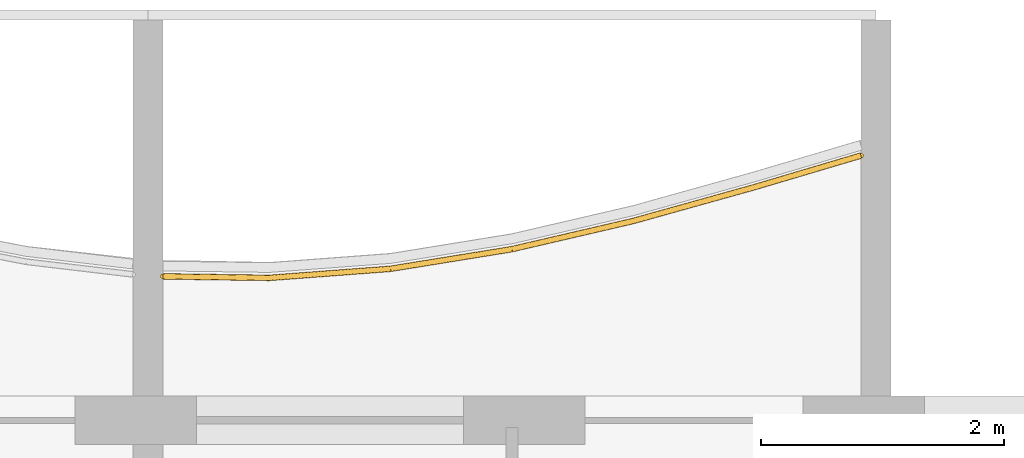
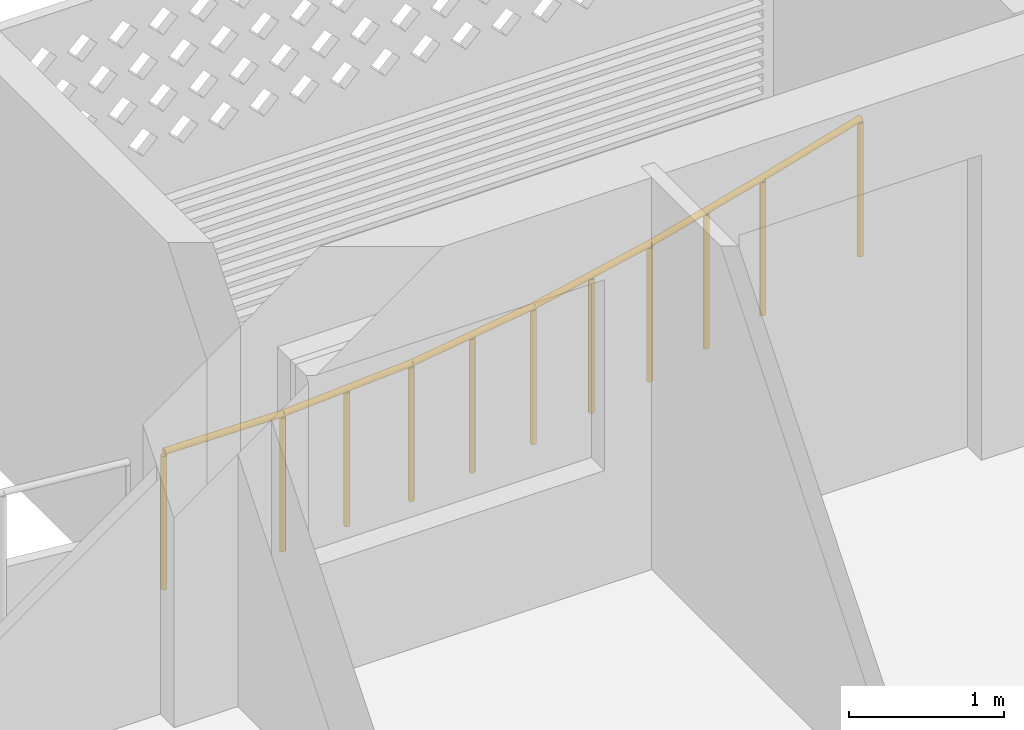
# One storey, part 21 of 26: 1 railing.
"""IFC4 building model written with IfcOpenShell, lengths in metres."""

from ifc_helpers import new_model, si_unit, direction, frame, origin, origin_2d, place, context, subcontext, project, spatial, circle, extrude, material, type_object, element, save


model = new_model("IFC4")

# Units and contexts
model_context = context("Model", 3, precision=1e-05, world=origin(), true_north=direction((0.0, 1.0)))
body_context = subcontext(model_context, "Body", "Model", "MODEL_VIEW")
ifc_project = project(units=[si_unit("LENGTHUNIT", "METRE"), si_unit("AREAUNIT", "SQUARE_METRE"), si_unit("VOLUMEUNIT", "CUBIC_METRE"), si_unit("PLANEANGLEUNIT", "RADIAN"), si_unit("MASSUNIT", "GRAM", prefix="KILO")], contexts=[model_context])

# Site, building, storey
site_placement = place(None, origin())
site = spatial("IfcSite", under=ifc_project, at=site_placement, CompositionType="ELEMENT")
building_placement = place(site_placement, origin())
building = spatial("IfcBuilding", under=site, at=building_placement, Name="Poui Terraces", CompositionType="ELEMENT")
storey_placement = place(building_placement, frame((0.0, 0.0, 178.5)))
storey = spatial("IfcBuildingStorey", under=building, at=storey_placement, Name="L49", CompositionType="ELEMENT", Elevation=178.5)

# Railing
ifc_material = material(Name="Painted steel fretwork", Category="steel")
railing_type = type_object("IfcRailingType", Name="BALCONY GUARD 1100", PredefinedType="GUARDRAIL", material=ifc_material)
railing_placement = place(storey_placement, frame((54.125, 42.38623046875, 0.0)))
element("IfcRailing", 1, at=railing_placement, inside=storey, type_object=railing_type, Name="BALCONY GUARD", PredefinedType="GUARDRAIL", context=body_context, shape_type="SweptSolid", body=[
    extrude(circle(Radius=0.02392578125, at=origin_2d()), frame((0.0, 0.0, 1.076171875), z_axis=(0.999902700497, -0.013949535442, 0.0), x_axis=(0.013949535442, 0.999902700497, 0.0)), (0.0, 0.0, 1.0), 0.875),
    extrude(circle(Radius=0.02392578125, at=origin_2d()), frame((0.875, -0.01220703125, 1.076171875), z_axis=(0.997202940152, 0.074741528962, 0.0), x_axis=(-0.074741528962, 0.997202940152, 0.0)), (0.0, 0.0, 1.0), 1.002685546875),
    extrude(circle(Radius=0.02392578125, at=origin_2d()), frame((1.875, 0.062744140625, 1.076171875), z_axis=(0.987151750337, 0.159785549432, 0.0), x_axis=(-0.159785549432, 0.987151750337, 0.0)), (0.0, 0.0, 1.0), 1.012939453125),
    extrude(circle(Radius=0.02392578125, at=origin_2d()), frame((2.875, 0.224609375, 1.076171875), z_axis=(0.974037301865, 0.226387576019, 0.0), x_axis=(-0.226387576019, 0.974037301865, 0.0)), (0.0, 0.0, 1.0), 1.026611328125),
    extrude(circle(Radius=0.02392578125, at=origin_2d()), frame((3.875, 0.45703125, 1.076171875), z_axis=(0.963200548895, 0.268783746921, 0.0), x_axis=(-0.268783746921, 0.963200548895, 0.0)), (0.0, 0.0, 1.0), 1.0380859375),
    extrude(circle(Radius=0.02392578125, at=origin_2d()), frame((4.875, 0.736083984375, 1.076171875), z_axis=(0.95871981657, 0.284352445595, 0.0), x_axis=(-0.284352445595, 0.95871981657, 0.0)), (0.0, 0.0, 1.0), 0.91259765625),
    extrude(circle(Radius=0.02099609375, at=origin_2d()), origin(), (0.0, 0.0, 1.0), 1.052001953125),
    extrude(circle(Radius=0.02099609375, at=origin_2d()), frame((0.875, -0.01220703125, 0.0)), (0.0, 0.0, 1.0), 1.052001953125),
    extrude(circle(Radius=0.02099609375, at=origin_2d()), frame((1.375, 0.025390625, 0.0)), (0.0, 0.0, 1.0), 1.052001953125),
    extrude(circle(Radius=0.02099609375, at=origin_2d()), frame((1.875, 0.062744140625, 0.0)), (0.0, 0.0, 1.0), 1.052001953125),
    extrude(circle(Radius=0.02099609375, at=origin_2d()), frame((2.375, 0.1435546875, 0.0)), (0.0, 0.0, 1.0), 1.052001953125),
    extrude(circle(Radius=0.02099609375, at=origin_2d()), frame((2.875, 0.224609375, 0.0)), (0.0, 0.0, 1.0), 1.052001953125),
    extrude(circle(Radius=0.02099609375, at=origin_2d()), frame((3.375, 0.3408203125, 0.0)), (0.0, 0.0, 1.0), 1.052001953125),
    extrude(circle(Radius=0.02099609375, at=origin_2d()), frame((3.875, 0.45703125, 0.0)), (0.0, 0.0, 1.0), 1.052001953125),
    extrude(circle(Radius=0.02099609375, at=origin_2d()), frame((4.375, 0.5966796875, 0.0)), (0.0, 0.0, 1.0), 1.052001953125),
    extrude(circle(Radius=0.02099609375, at=origin_2d()), frame((4.875, 0.736083984375, 0.0)), (0.0, 0.0, 1.0), 1.052001953125),
    extrude(circle(Radius=0.02099609375, at=origin_2d()), frame((5.75, 0.99560546875, 0.0)), (0.0, 0.0, 1.0), 1.052001953125),
])

save(model, "model.ifc")
